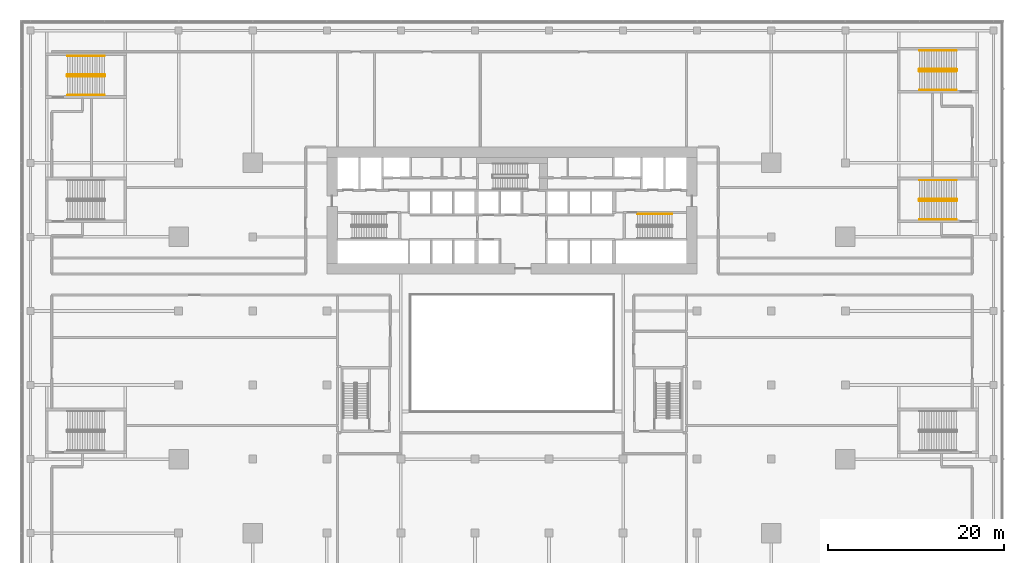
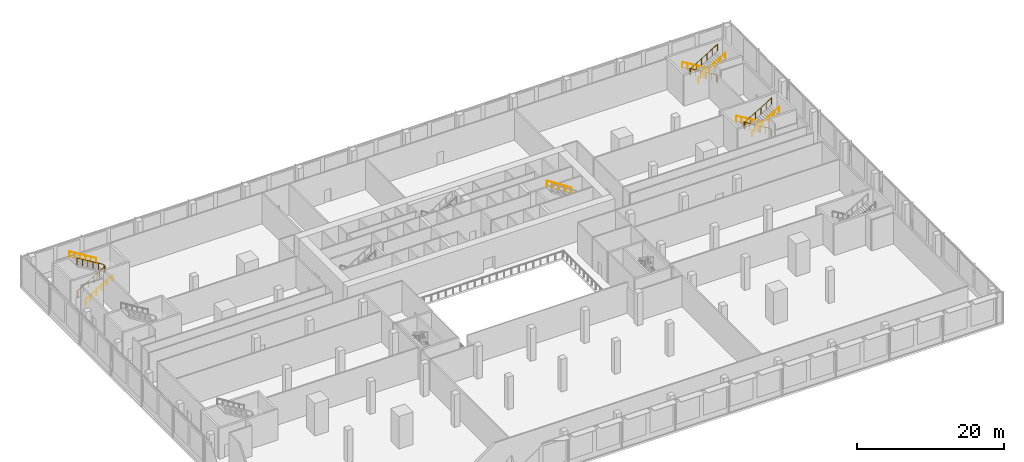
# One storey, part 39 of 39: 10 railings.
"""IFC4 building model written with IfcOpenShell, lengths in metres."""

from ifc_helpers import new_model, si_unit, direction, frame, origin, origin_2d, place, context, subcontext, project, spatial, circle, extrude, material, type_object, element, save


model = new_model("IFC4")

# Units and contexts
model_context = context("Model", 3, precision=1e-05, world=origin(), true_north=direction((0.0, 1.0)))
body_context = subcontext(model_context, "Body", "Model", "MODEL_VIEW")
ifc_project = project(units=[si_unit("LENGTHUNIT", "METRE"), si_unit("AREAUNIT", "SQUARE_METRE"), si_unit("VOLUMEUNIT", "CUBIC_METRE"), si_unit("PLANEANGLEUNIT", "RADIAN"), si_unit("MASSUNIT", "GRAM", prefix="KILO")], contexts=[model_context])

# Site, building, storey
site_placement = place(None, origin())
site = spatial("IfcSite", under=ifc_project, at=site_placement, CompositionType="ELEMENT")
building_placement = place(site_placement, origin())
building = spatial("IfcBuilding", under=site, at=building_placement, Name="Saffron Gate Tower", CompositionType="ELEMENT")
storey_placement = place(building_placement, frame((0.0, 0.0, 9.0)))
storey = spatial("IfcBuildingStorey", under=building, at=storey_placement, Name="L01", CompositionType="ELEMENT", Elevation=9.0)

# Railings
ifc_material_1 = material(Name="Stainless steel and laminated glass", Category="steel")
railing_type_1 = type_object("IfcRailingType", Name="CR1 Stair guard 1100", PredefinedType="GUARDRAIL", material=ifc_material_1)
railing_1_placement = place(storey_placement, frame((37.14990234375, 83.77490234375, 0.0)))
element("IfcRailing", 1, at=railing_1_placement, inside=storey, type_object=railing_type_1, Name="L01 ST-F stair guard 1", PredefinedType="GUARDRAIL", context=body_context, shape_type="SweptSolid", body=[
    extrude(circle(Radius=0.02392578125, at=origin_2d()), frame((0.0, 0.0, 1.076171875), z_axis=(0.0, -1.0, 0.0), x_axis=(1.0, 0.0, 0.0)), (0.0, 0.0, 1.0), 0.14990234375),
    extrude(circle(Radius=0.02392578125, at=origin_2d()), frame((0.0, -0.14990234375, 1.076171875), z_axis=(0.273569069059, -0.273569069059, 0.922127935218), x_axis=(0.707106781187, 0.707106781187, 0.0)), (0.0, 0.0, 1.0), 0.182861328125),
    extrude(circle(Radius=0.02392578125, at=origin_2d()), frame((0.050048828125, -0.199951171875, 1.24462890625), z_axis=(0.856476492594, 0.0, 0.516186030065), x_axis=(0.0, 1.0, 0.0)), (0.0, 0.0, 1.0), 4.90380859375),
    extrude(circle(Radius=0.02392578125, at=origin_2d()), frame((4.25, -0.199951171875, 3.77587890625), z_axis=(0.707106781187, 0.707106781187, 0.0), x_axis=(-0.707106781187, 0.707106781187, 0.0)), (0.0, 0.0, 1.0), 0.07080078125),
    extrude(circle(Radius=0.02392578125, at=origin_2d()), frame((4.300048828125, -0.14990234375, 3.77587890625), z_axis=(0.0, 1.0, 0.0), x_axis=(-1.0, 0.0, 0.0)), (0.0, 0.0, 1.0), 0.14990234375),
    extrude(circle(Radius=0.02392578125, at=origin_2d()), frame((4.300048828125, 0.0, 3.77587890625), z_axis=(-0.273569069059, 0.273569069059, 0.922127935218), x_axis=(-0.707106781187, -0.707106781187, 0.0)), (0.0, 0.0, 1.0), 0.182861328125),
    extrude(circle(Radius=0.02392578125, at=origin_2d()), frame((4.25, 0.050048828125, 3.94482421875), z_axis=(-0.856476492594, 0.0, 0.516186030065), x_axis=(0.0, -1.0, 0.0)), (0.0, 0.0, 1.0), 4.90380859375),
    extrude(circle(Radius=0.02099609375, at=origin_2d()), origin(), (0.0, 0.0, 1.0), 1.052001953125),
    extrude(circle(Radius=0.02099609375, at=origin_2d()), frame((0.0, -0.14990234375, 0.0)), (0.0, 0.0, 1.0), 1.052001953125),
    extrude(circle(Radius=0.02099609375, at=origin_2d()), frame((0.050048828125, -0.199951171875, 0.168701171875)), (0.0, 0.0, 1.0), 1.052001953125),
    extrude(circle(Radius=0.02099609375, at=origin_2d()), frame((0.89013671875, -0.199951171875, 0.675048828125)), (0.0, 0.0, 1.0), 1.052001953125),
    extrude(circle(Radius=0.02099609375, at=origin_2d()), frame((1.72998046875, -0.199951171875, 1.18115234375)), (0.0, 0.0, 1.0), 1.052001953125),
    extrude(circle(Radius=0.02099609375, at=origin_2d()), frame((2.570068359375, -0.199951171875, 1.6875)), (0.0, 0.0, 1.0), 1.052001953125),
    extrude(circle(Radius=0.02099609375, at=origin_2d()), frame((3.409912109375, -0.199951171875, 2.193603515625)), (0.0, 0.0, 1.0), 1.052001953125),
    extrude(circle(Radius=0.02099609375, at=origin_2d()), frame((4.25, -0.199951171875, 2.699951171875)), (0.0, 0.0, 1.0), 1.052001953125),
    extrude(circle(Radius=0.02099609375, at=origin_2d()), frame((4.300048828125, -0.14990234375, 2.699951171875)), (0.0, 0.0, 1.0), 1.052001953125),
    extrude(circle(Radius=0.02099609375, at=origin_2d()), frame((4.300048828125, 0.0, 2.699951171875)), (0.0, 0.0, 1.0), 1.052001953125),
    extrude(circle(Radius=0.02099609375, at=origin_2d()), frame((4.25, 0.050048828125, 2.86865234375)), (0.0, 0.0, 1.0), 1.052001953125),
    extrude(circle(Radius=0.02099609375, at=origin_2d()), frame((3.409912109375, 0.050048828125, 3.375)), (0.0, 0.0, 1.0), 1.052001953125),
    extrude(circle(Radius=0.02099609375, at=origin_2d()), frame((2.570068359375, 0.050048828125, 3.881103515625)), (0.0, 0.0, 1.0), 1.052001953125),
    extrude(circle(Radius=0.02099609375, at=origin_2d()), frame((1.72998046875, 0.050048828125, 4.387451171875)), (0.0, 0.0, 1.0), 1.052001953125),
    extrude(circle(Radius=0.02099609375, at=origin_2d()), frame((0.89013671875, 0.050048828125, 4.8935546875)), (0.0, 0.0, 1.0), 1.052001953125),
    extrude(circle(Radius=0.02099609375, at=origin_2d()), frame((0.050048828125, 0.050048828125, 5.39990234375)), (0.0, 0.0, 1.0), 1.052001953125),
])
railing_2_placement = place(storey_placement, frame((138.050048828125, 84.22509765625, 0.0)))
element("IfcRailing", 2, at=railing_2_placement, inside=storey, type_object=railing_type_1, Name="L01 ST-I stair guard 1", PredefinedType="GUARDRAIL", context=body_context, shape_type="SweptSolid", body=[
    extrude(circle(Radius=0.02392578125, at=origin_2d()), frame((0.0, 0.0, 1.076171875), z_axis=(0.0, 1.0, 0.0), x_axis=(-1.0, 0.0, 0.0)), (0.0, 0.0, 1.0), 0.14990234375),
    extrude(circle(Radius=0.02392578125, at=origin_2d()), frame((0.0, 0.14990234375, 1.076171875), z_axis=(-0.273569069059, 0.273569069059, 0.922127935218), x_axis=(-0.707106781187, -0.707106781187, 0.0)), (0.0, 0.0, 1.0), 0.182861328125),
    extrude(circle(Radius=0.02392578125, at=origin_2d()), frame((-0.050048828125, 0.199951171875, 1.24462890625), z_axis=(-0.856476492594, 0.0, 0.516186030065), x_axis=(0.0, -1.0, 0.0)), (0.0, 0.0, 1.0), 4.90380859375),
    extrude(circle(Radius=0.02392578125, at=origin_2d()), frame((-4.25, 0.199951171875, 3.77587890625), z_axis=(-0.707106781187, -0.707106781187, 0.0), x_axis=(0.707106781187, -0.707106781187, 0.0)), (0.0, 0.0, 1.0), 0.07080078125),
    extrude(circle(Radius=0.02392578125, at=origin_2d()), frame((-4.300048828125, 0.14990234375, 3.77587890625), z_axis=(0.0, -1.0, 0.0), x_axis=(1.0, 0.0, 0.0)), (0.0, 0.0, 1.0), 0.14990234375),
    extrude(circle(Radius=0.02392578125, at=origin_2d()), frame((-4.300048828125, 0.0, 3.77587890625), z_axis=(0.273569069059, -0.273569069059, 0.922127935218), x_axis=(0.707106781187, 0.707106781187, 0.0)), (0.0, 0.0, 1.0), 0.182861328125),
    extrude(circle(Radius=0.02392578125, at=origin_2d()), frame((-4.25, -0.050048828125, 3.94482421875), z_axis=(0.856476492594, 0.0, 0.516186030065), x_axis=(0.0, 1.0, 0.0)), (0.0, 0.0, 1.0), 4.90380859375),
    extrude(circle(Radius=0.02099609375, at=origin_2d()), origin(), (0.0, 0.0, 1.0), 1.052001953125),
    extrude(circle(Radius=0.02099609375, at=origin_2d()), frame((0.0, 0.14990234375, 0.0)), (0.0, 0.0, 1.0), 1.052001953125),
    extrude(circle(Radius=0.02099609375, at=origin_2d()), frame((-0.050048828125, 0.199951171875, 0.168701171875)), (0.0, 0.0, 1.0), 1.052001953125),
    extrude(circle(Radius=0.02099609375, at=origin_2d()), frame((-0.89013671875, 0.199951171875, 0.675048828125)), (0.0, 0.0, 1.0), 1.052001953125),
    extrude(circle(Radius=0.02099609375, at=origin_2d()), frame((-1.72998046875, 0.199951171875, 1.18115234375)), (0.0, 0.0, 1.0), 1.052001953125),
    extrude(circle(Radius=0.02099609375, at=origin_2d()), frame((-2.570068359375, 0.199951171875, 1.6875)), (0.0, 0.0, 1.0), 1.052001953125),
    extrude(circle(Radius=0.02099609375, at=origin_2d()), frame((-3.409912109375, 0.199951171875, 2.193603515625)), (0.0, 0.0, 1.0), 1.052001953125),
    extrude(circle(Radius=0.02099609375, at=origin_2d()), frame((-4.25, 0.199951171875, 2.699951171875)), (0.0, 0.0, 1.0), 1.052001953125),
    extrude(circle(Radius=0.02099609375, at=origin_2d()), frame((-4.300048828125, 0.14990234375, 2.699951171875)), (0.0, 0.0, 1.0), 1.052001953125),
    extrude(circle(Radius=0.02099609375, at=origin_2d()), frame((-4.300048828125, 0.0, 2.699951171875)), (0.0, 0.0, 1.0), 1.052001953125),
    extrude(circle(Radius=0.02099609375, at=origin_2d()), frame((-4.25, -0.050048828125, 2.86865234375)), (0.0, 0.0, 1.0), 1.052001953125),
    extrude(circle(Radius=0.02099609375, at=origin_2d()), frame((-3.409912109375, -0.050048828125, 3.375)), (0.0, 0.0, 1.0), 1.052001953125),
    extrude(circle(Radius=0.02099609375, at=origin_2d()), frame((-2.570068359375, -0.050048828125, 3.881103515625)), (0.0, 0.0, 1.0), 1.052001953125),
    extrude(circle(Radius=0.02099609375, at=origin_2d()), frame((-1.72998046875, -0.050048828125, 4.387451171875)), (0.0, 0.0, 1.0), 1.052001953125),
    extrude(circle(Radius=0.02099609375, at=origin_2d()), frame((-0.89013671875, -0.050048828125, 4.8935546875)), (0.0, 0.0, 1.0), 1.052001953125),
    extrude(circle(Radius=0.02099609375, at=origin_2d()), frame((-0.050048828125, -0.050048828125, 5.39990234375)), (0.0, 0.0, 1.0), 1.052001953125),
])
railing_3_placement = place(storey_placement, frame((138.050048828125, 69.52490234375, 0.0)))
element("IfcRailing", 3, at=railing_3_placement, inside=storey, type_object=railing_type_1, Name="L01 ST-J stair guard 1", PredefinedType="GUARDRAIL", context=body_context, shape_type="SweptSolid", body=[
    extrude(circle(Radius=0.02392578125, at=origin_2d()), frame((0.0, 0.0, 1.076171875), z_axis=(0.0, 1.0, 0.0), x_axis=(-1.0, 0.0, 0.0)), (0.0, 0.0, 1.0), 0.150146484375),
    extrude(circle(Radius=0.02392578125, at=origin_2d()), frame((0.0, 0.150146484375, 1.076171875), z_axis=(-0.273569069059, 0.273569069059, 0.922127935218), x_axis=(-0.707106781187, -0.707106781187, 0.0)), (0.0, 0.0, 1.0), 0.182861328125),
    extrude(circle(Radius=0.02392578125, at=origin_2d()), frame((-0.050048828125, 0.2001953125, 1.24462890625), z_axis=(-0.856476492594, 0.0, 0.516186030065), x_axis=(0.0, -1.0, 0.0)), (0.0, 0.0, 1.0), 4.90380859375),
    extrude(circle(Radius=0.02392578125, at=origin_2d()), frame((-4.25, 0.2001953125, 3.77587890625), z_axis=(-0.707106781187, -0.707106781187, 0.0), x_axis=(0.707106781187, -0.707106781187, 0.0)), (0.0, 0.0, 1.0), 0.07080078125),
    extrude(circle(Radius=0.02392578125, at=origin_2d()), frame((-4.300048828125, 0.150146484375, 3.77587890625), z_axis=(0.0, -1.0, 0.0), x_axis=(1.0, 0.0, 0.0)), (0.0, 0.0, 1.0), 0.150146484375),
    extrude(circle(Radius=0.02392578125, at=origin_2d()), frame((-4.300048828125, 0.0, 3.77587890625), z_axis=(0.273668752699, -0.272333783174, 0.922463942026), x_axis=(0.705375805398, 0.708833529934, 0.0)), (0.0, 0.0, 1.0), 0.182861328125),
    extrude(circle(Radius=0.02392578125, at=origin_2d()), frame((-4.25, -0.0498046875, 3.94482421875), z_axis=(0.856476492594, 0.0, 0.516186030065), x_axis=(0.0, 1.0, 0.0)), (0.0, 0.0, 1.0), 4.90380859375),
    extrude(circle(Radius=0.02099609375, at=origin_2d()), origin(), (0.0, 0.0, 1.0), 1.052001953125),
    extrude(circle(Radius=0.02099609375, at=origin_2d()), frame((0.0, 0.150146484375, 0.0)), (0.0, 0.0, 1.0), 1.052001953125),
    extrude(circle(Radius=0.02099609375, at=origin_2d()), frame((-0.050048828125, 0.2001953125, 0.168701171875)), (0.0, 0.0, 1.0), 1.052001953125),
    extrude(circle(Radius=0.02099609375, at=origin_2d()), frame((-0.89013671875, 0.2001953125, 0.675048828125)), (0.0, 0.0, 1.0), 1.052001953125),
    extrude(circle(Radius=0.02099609375, at=origin_2d()), frame((-1.72998046875, 0.2001953125, 1.18115234375)), (0.0, 0.0, 1.0), 1.052001953125),
    extrude(circle(Radius=0.02099609375, at=origin_2d()), frame((-2.570068359375, 0.2001953125, 1.6875)), (0.0, 0.0, 1.0), 1.052001953125),
    extrude(circle(Radius=0.02099609375, at=origin_2d()), frame((-3.409912109375, 0.2001953125, 2.193603515625)), (0.0, 0.0, 1.0), 1.052001953125),
    extrude(circle(Radius=0.02099609375, at=origin_2d()), frame((-4.25, 0.2001953125, 2.699951171875)), (0.0, 0.0, 1.0), 1.052001953125),
    extrude(circle(Radius=0.02099609375, at=origin_2d()), frame((-4.300048828125, 0.150146484375, 2.699951171875)), (0.0, 0.0, 1.0), 1.052001953125),
    extrude(circle(Radius=0.02099609375, at=origin_2d()), frame((-4.300048828125, 0.0, 2.699951171875)), (0.0, 0.0, 1.0), 1.052001953125),
    extrude(circle(Radius=0.02099609375, at=origin_2d()), frame((-4.25, -0.0498046875, 2.86865234375)), (0.0, 0.0, 1.0), 1.052001953125),
    extrude(circle(Radius=0.02099609375, at=origin_2d()), frame((-3.409912109375, -0.0498046875, 3.375)), (0.0, 0.0, 1.0), 1.052001953125),
    extrude(circle(Radius=0.02099609375, at=origin_2d()), frame((-2.570068359375, -0.0498046875, 3.881103515625)), (0.0, 0.0, 1.0), 1.052001953125),
    extrude(circle(Radius=0.02099609375, at=origin_2d()), frame((-1.72998046875, -0.0498046875, 4.387451171875)), (0.0, 0.0, 1.0), 1.052001953125),
    extrude(circle(Radius=0.02099609375, at=origin_2d()), frame((-0.89013671875, -0.0498046875, 4.8935546875)), (0.0, 0.0, 1.0), 1.052001953125),
    extrude(circle(Radius=0.02099609375, at=origin_2d()), frame((-0.050048828125, -0.0498046875, 5.39990234375)), (0.0, 0.0, 1.0), 1.052001953125),
])
ifc_material_2 = material(Name="Stainless steel", Category="steel")
railing_type_2 = type_object("IfcRailingType", Name="CR2 Stair handrail 900", PredefinedType="HANDRAIL", material=ifc_material_2)
railing_4_placement = place(storey_placement, frame((105.77001953125, 68.0, 2.8798828125)))
element("IfcRailing", 4, at=railing_4_placement, inside=storey, type_object=railing_type_2, Name="L01 ST-B stair handrail 2", PredefinedType="HANDRAIL", context=body_context, shape_type="SweptSolid", body=[
    extrude(circle(Radius=0.02392578125, at=origin_2d()), frame((0.0, 0.0, 0.8759765625), z_axis=(-0.841171666519, 0.0, 0.540768182723), x_axis=(0.0, -1.0, 0.0)), (0.0, 0.0, 1.0), 4.66015625),
    extrude(circle(Radius=0.02099609375, at=origin_2d()), origin(), (0.0, 0.0, 1.0), 0.851806640625),
    extrude(circle(Radius=0.02099609375, at=origin_2d()), frame((-0.97998046875, 0.0, 0.6298828125)), (0.0, 0.0, 1.0), 0.851806640625),
    extrude(circle(Radius=0.02099609375, at=origin_2d()), frame((-1.9599609375, 0.0, 1.260009765625)), (0.0, 0.0, 1.0), 0.851806640625),
    extrude(circle(Radius=0.02099609375, at=origin_2d()), frame((-2.93994140625, 0.0, 1.89013671875)), (0.0, 0.0, 1.0), 0.851806640625),
    extrude(circle(Radius=0.02099609375, at=origin_2d()), frame((-3.919921875, 0.0, 2.52001953125)), (0.0, 0.0, 1.0), 0.851806640625),
])
railing_5_placement = place(storey_placement, frame((37.199951171875, 81.47509765625, 0.168701171875)))
element("IfcRailing", 5, at=railing_5_placement, inside=storey, type_object=railing_type_2, Name="L01 ST-F stair handrail 1", PredefinedType="HANDRAIL", context=body_context, shape_type="SweptSolid", body=[
    extrude(circle(Radius=0.02392578125, at=origin_2d()), frame((0.0, 0.0, 0.8759765625), z_axis=(0.856476492594, 0.0, 0.516186030065), x_axis=(0.0, 1.0, 0.0)), (0.0, 0.0, 1.0), 4.90380859375),
    extrude(circle(Radius=0.02099609375, at=origin_2d()), origin(), (0.0, 0.0, 1.0), 0.851806640625),
    extrude(circle(Radius=0.02099609375, at=origin_2d()), frame((0.840087890625, 0.0, 0.50634765625)), (0.0, 0.0, 1.0), 0.851806640625),
    extrude(circle(Radius=0.02099609375, at=origin_2d()), frame((1.679931640625, 0.0, 1.012451171875)), (0.0, 0.0, 1.0), 0.851806640625),
    extrude(circle(Radius=0.02099609375, at=origin_2d()), frame((2.52001953125, 0.0, 1.518798828125)), (0.0, 0.0, 1.0), 0.851806640625),
    extrude(circle(Radius=0.02099609375, at=origin_2d()), frame((3.35986328125, 0.0, 2.02490234375)), (0.0, 0.0, 1.0), 0.851806640625),
    extrude(circle(Radius=0.02099609375, at=origin_2d()), frame((4.199951171875, 0.0, 2.53125)), (0.0, 0.0, 1.0), 0.851806640625),
])
for number, where, name in (
    (6, (41.39990234375, 85.925048828125, 2.86865234375), "L01 ST-F stair handrail 2"),
    (7, (138.0, 86.52490234375, 0.168701171875), "L01 ST-I stair handrail 1"),
):
    element("IfcRailing", number, at=place(storey_placement, frame(where)), inside=storey, type_object=railing_type_2, Name=name, PredefinedType="HANDRAIL", context=body_context, shape_type="SweptSolid", body=[
        extrude(circle(Radius=0.02392578125, at=origin_2d()), frame((0.0, 0.0, 0.8759765625), z_axis=(-0.856476492594, 0.0, 0.516186030065), x_axis=(0.0, -1.0, 0.0)), (0.0, 0.0, 1.0), 4.90380859375),
        extrude(circle(Radius=0.02099609375, at=origin_2d()), origin(), (0.0, 0.0, 1.0), 0.851806640625),
        extrude(circle(Radius=0.02099609375, at=origin_2d()), frame((-0.840087890625, 0.0, 0.50634765625)), (0.0, 0.0, 1.0), 0.851806640625),
        extrude(circle(Radius=0.02099609375, at=origin_2d()), frame((-1.679931640625, 0.0, 1.012451171875)), (0.0, 0.0, 1.0), 0.851806640625),
        extrude(circle(Radius=0.02099609375, at=origin_2d()), frame((-2.52001953125, 0.0, 1.518798828125)), (0.0, 0.0, 1.0), 0.851806640625),
        extrude(circle(Radius=0.02099609375, at=origin_2d()), frame((-3.35986328125, 0.0, 2.02490234375)), (0.0, 0.0, 1.0), 0.851806640625),
        extrude(circle(Radius=0.02099609375, at=origin_2d()), frame((-4.199951171875, 0.0, 2.53125)), (0.0, 0.0, 1.0), 0.851806640625),
    ])
railing_6_placement = place(storey_placement, frame((133.800048828125, 82.074951171875, 2.86865234375)))
element("IfcRailing", 8, at=railing_6_placement, inside=storey, type_object=railing_type_2, Name="L01 ST-I stair handrail 2", PredefinedType="HANDRAIL", context=body_context, shape_type="SweptSolid", body=[
    extrude(circle(Radius=0.02392578125, at=origin_2d()), frame((0.0, 0.0, 0.8759765625), z_axis=(0.856476492594, 0.0, 0.516186030065), x_axis=(0.0, 1.0, 0.0)), (0.0, 0.0, 1.0), 4.90380859375),
    extrude(circle(Radius=0.02099609375, at=origin_2d()), origin(), (0.0, 0.0, 1.0), 0.851806640625),
    extrude(circle(Radius=0.02099609375, at=origin_2d()), frame((0.840087890625, 0.0, 0.50634765625)), (0.0, 0.0, 1.0), 0.851806640625),
    extrude(circle(Radius=0.02099609375, at=origin_2d()), frame((1.679931640625, 0.0, 1.012451171875)), (0.0, 0.0, 1.0), 0.851806640625),
    extrude(circle(Radius=0.02099609375, at=origin_2d()), frame((2.52001953125, 0.0, 1.518798828125)), (0.0, 0.0, 1.0), 0.851806640625),
    extrude(circle(Radius=0.02099609375, at=origin_2d()), frame((3.35986328125, 0.0, 2.02490234375)), (0.0, 0.0, 1.0), 0.851806640625),
    extrude(circle(Radius=0.02099609375, at=origin_2d()), frame((4.199951171875, 0.0, 2.53125)), (0.0, 0.0, 1.0), 0.851806640625),
])
railing_7_placement = place(storey_placement, frame((138.0, 71.824951171875, 0.168701171875)))
element("IfcRailing", 9, at=railing_7_placement, inside=storey, type_object=railing_type_2, Name="L01 ST-J stair handrail 1", PredefinedType="HANDRAIL", context=body_context, shape_type="SweptSolid", body=[
    extrude(circle(Radius=0.02392578125, at=origin_2d()), frame((0.0, 0.0, 0.8759765625), z_axis=(-0.856476492594, 0.0, 0.516186030065), x_axis=(0.0, -1.0, 0.0)), (0.0, 0.0, 1.0), 4.90380859375),
    extrude(circle(Radius=0.02099609375, at=origin_2d()), origin(), (0.0, 0.0, 1.0), 0.851806640625),
    extrude(circle(Radius=0.02099609375, at=origin_2d()), frame((-0.840087890625, 0.0, 0.50634765625)), (0.0, 0.0, 1.0), 0.851806640625),
    extrude(circle(Radius=0.02099609375, at=origin_2d()), frame((-1.679931640625, 0.0, 1.012451171875)), (0.0, 0.0, 1.0), 0.851806640625),
    extrude(circle(Radius=0.02099609375, at=origin_2d()), frame((-2.52001953125, 0.0, 1.518798828125)), (0.0, 0.0, 1.0), 0.851806640625),
    extrude(circle(Radius=0.02099609375, at=origin_2d()), frame((-3.35986328125, 0.0, 2.02490234375)), (0.0, 0.0, 1.0), 0.851806640625),
    extrude(circle(Radius=0.02099609375, at=origin_2d()), frame((-4.199951171875, 0.0, 2.53125)), (0.0, 0.0, 1.0), 0.851806640625),
])
railing_8_placement = place(storey_placement, frame((133.800048828125, 67.375, 2.86865234375)))
element("IfcRailing", 10, at=railing_8_placement, inside=storey, type_object=railing_type_2, Name="L01 ST-J stair handrail 2", PredefinedType="HANDRAIL", context=body_context, shape_type="SweptSolid", body=[
    extrude(circle(Radius=0.02392578125, at=origin_2d()), frame((0.0, 0.0, 0.8759765625), z_axis=(0.856476492594, 0.0, 0.516186030065), x_axis=(0.0, 1.0, 0.0)), (0.0, 0.0, 1.0), 4.90380859375),
    extrude(circle(Radius=0.02099609375, at=origin_2d()), origin(), (0.0, 0.0, 1.0), 0.851806640625),
    extrude(circle(Radius=0.02099609375, at=origin_2d()), frame((0.840087890625, 0.0, 0.50634765625)), (0.0, 0.0, 1.0), 0.851806640625),
    extrude(circle(Radius=0.02099609375, at=origin_2d()), frame((1.679931640625, 0.0, 1.012451171875)), (0.0, 0.0, 1.0), 0.851806640625),
    extrude(circle(Radius=0.02099609375, at=origin_2d()), frame((2.52001953125, 0.0, 1.518798828125)), (0.0, 0.0, 1.0), 0.851806640625),
    extrude(circle(Radius=0.02099609375, at=origin_2d()), frame((3.35986328125, 0.0, 2.02490234375)), (0.0, 0.0, 1.0), 0.851806640625),
    extrude(circle(Radius=0.02099609375, at=origin_2d()), frame((4.199951171875, 0.0, 2.53125)), (0.0, 0.0, 1.0), 0.851806640625),
])

save(model, "model.ifc")
